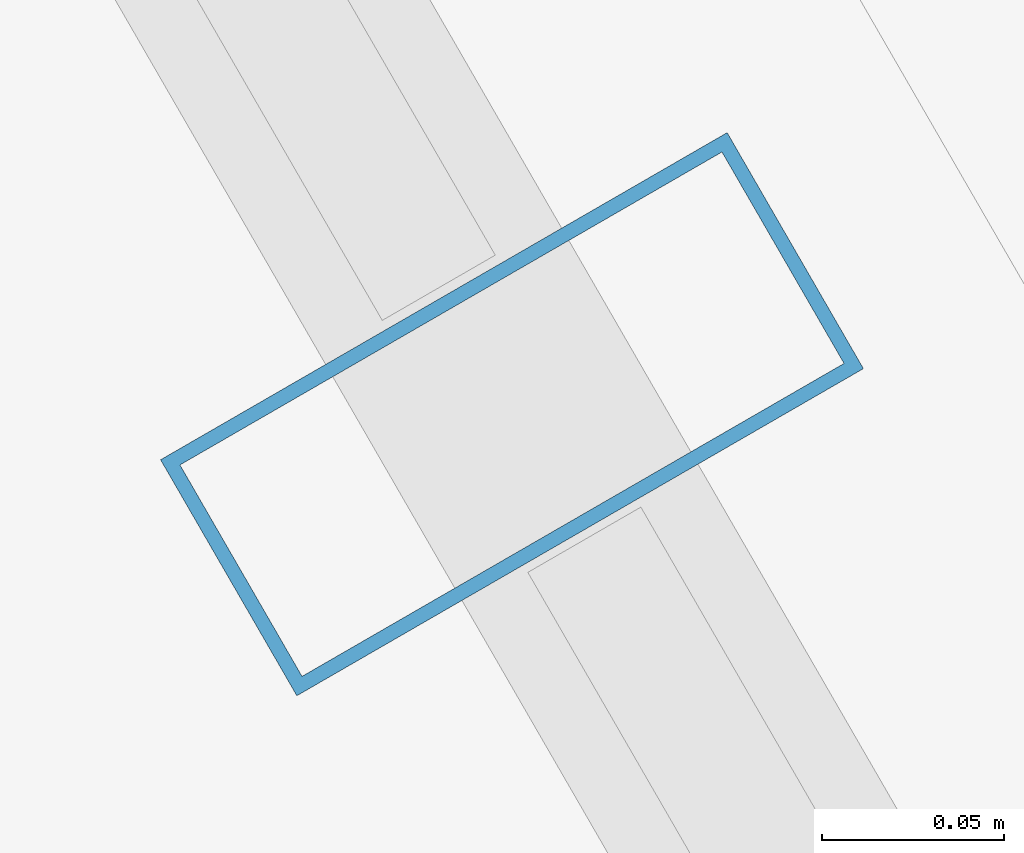
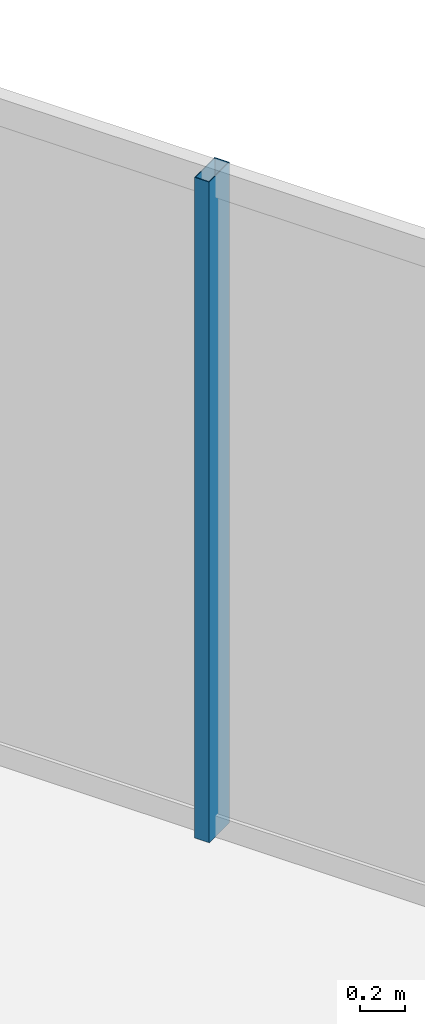
# One storey, part 18 of 34: 1 member, 1 element without a shape of its own.
"""IFC4 building model written with IfcOpenShell, lengths in metres."""

from ifc_helpers import new_model, si_unit, direction, frame, origin, origin_2d, place, context, subcontext, project, spatial, hollow_rectangle, extrude, material, layer, layer_set, material_profile, profile_set, type_object, element, aggregate, save


model = new_model("IFC4")

# Units and contexts
model_context = context("Model", 3, precision=1e-05, world=origin(), true_north=direction((0.0, 1.0)))
body_context = subcontext(model_context, "Body", "Model", "MODEL_VIEW")
ifc_project = project(units=[si_unit("LENGTHUNIT", "METRE"), si_unit("AREAUNIT", "SQUARE_METRE"), si_unit("VOLUMEUNIT", "CUBIC_METRE"), si_unit("PLANEANGLEUNIT", "RADIAN"), si_unit("MASSUNIT", "GRAM", prefix="KILO")], contexts=[model_context])

# Site, building, storey
site_placement = place(None, origin())
site = spatial("IfcSite", under=ifc_project, at=site_placement, CompositionType="ELEMENT")
building_placement = place(site_placement, origin())
building = spatial("IfcBuilding", under=site, at=building_placement, Name="Ndaravel Arena Tower", CompositionType="ELEMENT")
storey_placement = place(building_placement, frame((0.0, 0.0, 263.60009765625)))
storey = spatial("IfcBuildingStorey", under=building, at=storey_placement, Name="L64", CompositionType="ELEMENT", Elevation=263.60009765625)

# Curtain wall, member
ifc_material_1 = material(Name="Aluminium", Category="aluminium")
ifc_layer = layer(ifc_material_1, 0.179931640625)
ifc_layer_set = layer_set([ifc_layer], Name="Aluminium")
curtain_wall_type = type_object("IfcCurtainWallType", Name="CW-SYS-03", PredefinedType="NOTDEFINED", material=ifc_layer_set)
curtain_wall_placement = place(storey_placement, origin())
curtain_wall = element("IfcCurtainWall", 1, at=curtain_wall_placement, inside=storey, type_object=curtain_wall_type, Name="L64 Faceted Crystal Curtain Wall CW-L64-E03", PredefinedType="NOTDEFINED")
ifc_material_2 = material(Name="Aluminium", Category="aluminium")
ifc_material_profile = material_profile(ifc_material_2, hollow_rectangle(XDim=0.074951171875, YDim=0.179931640625, WallThickness=0.00390625, at=origin_2d()), Name="CW MULLION 75x180x4")
ifc_profile_set = profile_set([ifc_material_profile], Name="Aluminium")
member_type = type_object("IfcMemberType", Name="MEM-CW-MUL180", PredefinedType="MULLION", material=ifc_profile_set)
member_placement = place(storey_placement, frame((51.364013671875, 32.868408203125, 0.0), z_axis=(0.0, 0.0, 1.0), x_axis=(-0.5, 0.866025403784, 0.0)))
member = element("IfcMember", 2, at=member_placement, type_object=member_type, Name="CW-L64-E03 Mullion 06", PredefinedType="MULLION", context=body_context, shape_type="SweptSolid", body=[
    extrude(hollow_rectangle(XDim=0.074951171875, YDim=0.179931640625, WallThickness=0.00390625, at=origin_2d()), origin(), (0.0, 0.0, 1.0), 3.579833984375),
])
aggregate(curtain_wall, [member])

save(model, "model.ifc")
